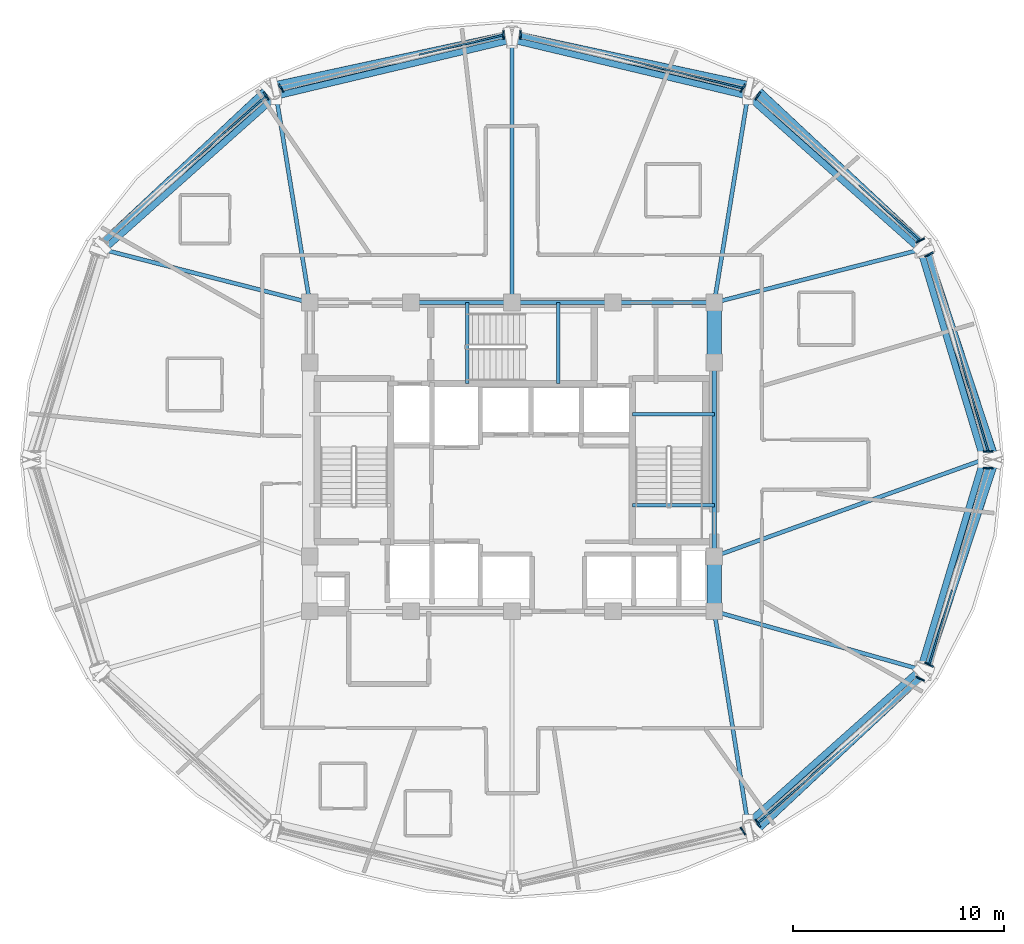
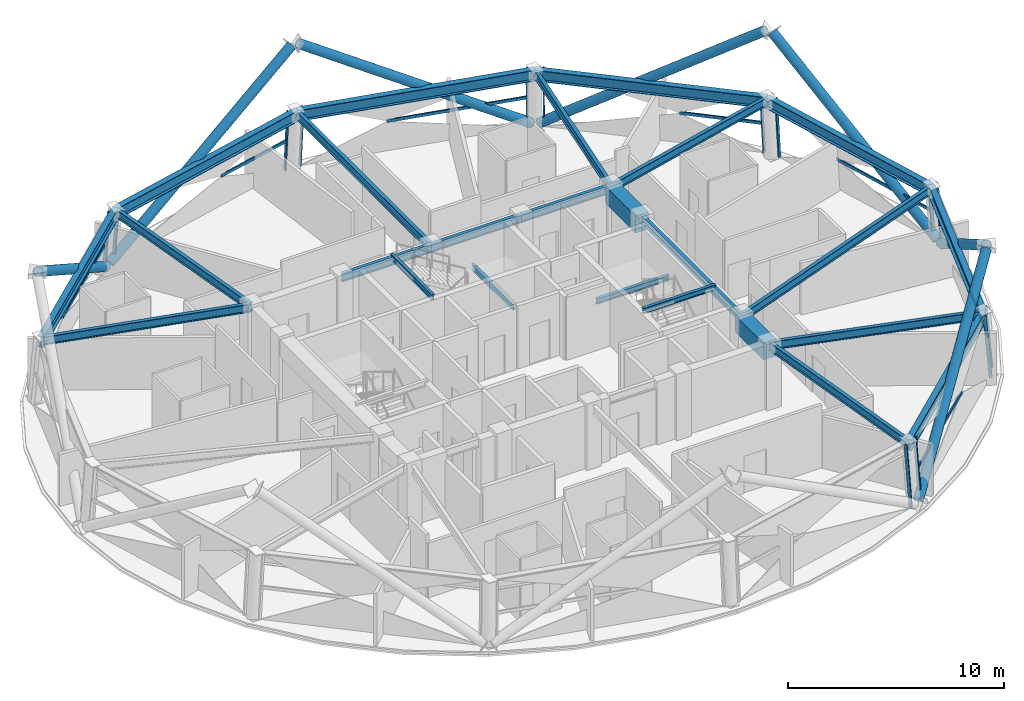
# One storey, part 2 of 12: 28 members, 25 beams, 8 elements without a shape of their own.
"""IFC4 building model written with IfcOpenShell, lengths in metres."""

from ifc_helpers import new_model, si_unit, direction, frame, origin, origin_2d, place, context, subcontext, project, spatial, rectangle, hollow_rectangle, hollow_circle, i_section, extrude, material, layer, layer_set, material_profile, profile_set, type_object, element, aggregate, save


model = new_model("IFC4")

# Units and contexts
model_context = context("Model", 3, precision=1e-05, world=origin(), true_north=direction((0.0, 1.0)))
body_context = subcontext(model_context, "Body", "Model", "MODEL_VIEW")
ifc_project = project(units=[si_unit("LENGTHUNIT", "METRE"), si_unit("AREAUNIT", "SQUARE_METRE"), si_unit("VOLUMEUNIT", "CUBIC_METRE"), si_unit("PLANEANGLEUNIT", "RADIAN"), si_unit("MASSUNIT", "GRAM", prefix="KILO")], contexts=[model_context])

# Site, building, storey
site_placement = place(None, origin())
site = spatial("IfcSite", under=ifc_project, at=site_placement, CompositionType="ELEMENT")
building_placement = place(site_placement, origin())
building = spatial("IfcBuilding", under=site, at=building_placement, Name="Vantalir Tower", CompositionType="ELEMENT")
storey_placement = place(building_placement, frame((0.0, 0.0, 197.39990234375)))
storey = spatial("IfcBuildingStorey", under=building, at=storey_placement, Name="L49", CompositionType="ELEMENT", Elevation=197.39990234375)

# Beams
ifc_material_1 = material(Name="Concrete C60/75", Category="concrete")
ifc_material_profile_1 = material_profile(ifc_material_1, rectangle(XDim=0.699951171875, YDim=0.949951171875, at=origin_2d()), Name="Concrete C60/75")
ifc_profile_set_1 = profile_set([ifc_material_profile_1], Name="Concrete C60/75")
beam_type_1 = type_object("IfcBeamType", Name="BM-CB-700x950", PredefinedType="USERDEFINED", material=ifc_profile_set_1)
beam_1_placement = place(storey_placement, frame((41.10009765625, 17.800048828125, 3.09521484375), z_axis=(0.0, 1.0, 0.0), x_axis=(-1.0, 0.0, 0.0)))
element("IfcBeam", 1, at=beam_1_placement, inside=storey, type_object=beam_type_1, Name="L49 Core Coupling Girder 05", ObjectType="GIRDER", PredefinedType="USERDEFINED", context=body_context, shape_type="SweptSolid", body=[
    extrude(rectangle(XDim=0.699951171875, YDim=0.949951171875, at=origin_2d()), origin(), (0.0, 0.0, 1.0), 2.599853515625),
])
beam_2_placement = place(storey_placement, frame((41.10009765625, 29.60009765625, 3.09521484375), z_axis=(0.0, 1.0, 0.0), x_axis=(-1.0, 0.0, 0.0)))
element("IfcBeam", 2, at=beam_2_placement, inside=storey, type_object=beam_type_1, Name="L49 Core Coupling Girder 07", ObjectType="GIRDER", PredefinedType="USERDEFINED", context=body_context, shape_type="SweptSolid", body=[
    extrude(rectangle(XDim=0.699951171875, YDim=0.949951171875, at=origin_2d()), origin(), (0.0, 0.0, 1.0), 2.849853515625),
])
ifc_material_2 = material(Name="Steel S355", Category="steel")
ifc_material_profile_2 = material_profile(ifc_material_2, i_section(OverallWidth=0.166015625, OverallDepth=0.306884765625, WebThickness=0.006591796875, FlangeThickness=0.01171875, at=origin_2d()), Name="Steel S355")
ifc_profile_set_2 = profile_set([ifc_material_profile_2], Name="Steel S355")
beam_type_2 = type_object("IfcBeamType", Name="BM-JS-305x165", PredefinedType="JOIST", material=ifc_profile_set_2)
for number, where, z_axis, x_axis, name in (
    (3, (37.2099609375, 22.8349609375, 3.59619140625), (1.0, 0.0, 0.0), (0.0, 1.0, 0.0), "L50 Stair ST2 Well Nosing Trimmer Beam"),
    (4, (37.2099609375, 27.14501953125, 1.52099609375), (1.0, 0.0, 0.0), (0.0, 1.0, 0.0), "L49 Stair ST2 Half-Landing Support Beam"),
):
    element("IfcBeam", number, at=place(storey_placement, frame(where, z_axis=z_axis, x_axis=x_axis)), inside=storey, type_object=beam_type_2, Name=name, PredefinedType="JOIST", context=body_context, shape_type="SweptSolid", body=[
        extrude(i_section(OverallWidth=0.166015625, OverallDepth=0.306884765625, WebThickness=0.006591796875, FlangeThickness=0.01171875, at=origin_2d()), origin(), (0.0, 0.0, 1.0), 3.89013671875),
    ])
for number, where, z_axis, x_axis, name in (
    (5, (29.385009765625, 28.60009765625, 3.59619140625), (0.0, 1.0, 0.0), (-1.0, 0.0, 0.0), "L50 Stair ST3 Well Nosing Trimmer Beam"),
    (6, (33.695068359375, 28.60009765625, 1.52099609375), (0.0, 1.0, 0.0), (-1.0, 0.0, 0.0), "L49 Stair ST3 Half-Landing Support Beam"),
):
    element("IfcBeam", number, at=place(storey_placement, frame(where, z_axis=z_axis, x_axis=x_axis)), inside=storey, type_object=beam_type_2, Name=name, PredefinedType="JOIST", context=body_context, shape_type="SweptSolid", body=[
        extrude(i_section(OverallWidth=0.166015625, OverallDepth=0.306884765625, WebThickness=0.006591796875, FlangeThickness=0.01171875, at=origin_2d()), origin(), (0.0, 0.0, 1.0), 3.849853515625),
    ])
ifc_material_profile_3 = material_profile(ifc_material_2, i_section(OverallWidth=0.19189453125, OverallDepth=0.462890625, WebThickness=0.010498046875, FlangeThickness=0.017578125, at=origin_2d()), Name="Steel S355")
ifc_profile_set_3 = profile_set([ifc_material_profile_3], Name="Steel S355")
beam_type_3 = type_object("IfcBeamType", Name="BM-RB-457x191", PredefinedType="BEAM", material=ifc_profile_set_3)
beam_3_placement = place(storey_placement, frame((41.10009765625, 20.39990234375, 3.338134765625), z_axis=(0.0, 1.0, 0.0), x_axis=(-1.0, 0.0, 0.0)))
element("IfcBeam", 7, at=beam_3_placement, inside=storey, type_object=beam_type_3, Name="L49 Core Coupling Girder 06", PredefinedType="BEAM", context=body_context, shape_type="SweptSolid", body=[
    extrude(i_section(OverallWidth=0.19189453125, OverallDepth=0.462890625, WebThickness=0.010498046875, FlangeThickness=0.017578125, at=origin_2d()), origin(), (0.0, 0.0, 1.0), 9.2001953125),
])
for number, where, z_axis, x_axis, name in (
    (8, (41.10009765625, 32.449951171875, 3.338134765625), (-1.0, 0.0, 0.0), (0.0, -1.0, 0.0), "L49 Core Coupling Girder 08"),
    (9, (36.300048828125, 32.449951171875, 3.338134765625), (-1.0, 0.0, 0.0), (0.0, -1.0, 0.0), "L49 Core Coupling Girder 09"),
    (10, (31.5, 32.449951171875, 3.338134765625), (-1.0, 0.0, 0.0), (0.0, -1.0, 0.0), "L49 Core Coupling Girder 10"),
):
    element("IfcBeam", number, at=place(storey_placement, frame(where, z_axis=z_axis, x_axis=x_axis)), inside=storey, type_object=beam_type_3, Name=name, PredefinedType="BEAM", context=body_context, shape_type="SweptSolid", body=[
        extrude(i_section(OverallWidth=0.19189453125, OverallDepth=0.462890625, WebThickness=0.010498046875, FlangeThickness=0.017578125, at=origin_2d()), origin(), (0.0, 0.0, 1.0), 4.800048828125),
    ])
beam_4_placement = place(storey_placement, frame((53.882080078125, 25.0, 3.338134765625), z_axis=(-0.940920627421, -0.338627188652, 0.0), x_axis=(0.338627188652, -0.940920627421, 0.0)))
element("IfcBeam", 11, at=beam_4_placement, inside=storey, type_object=beam_type_3, Name="L49 Radial Floor Beam 01", PredefinedType="BEAM", context=body_context, shape_type="SweptSolid", body=[
    extrude(i_section(OverallWidth=0.19189453125, OverallDepth=0.462890625, WebThickness=0.010498046875, FlangeThickness=0.017578125, at=origin_2d()), origin(), (0.0, 0.0, 1.0), 13.58447265625),
])
beam_5_placement = place(storey_placement, frame((50.883056640625, 34.9619140625, 3.338134765625), z_axis=(-0.968580157388, -0.24870158567, 0.0), x_axis=(0.24870158567, -0.968580157388, 0.0)))
element("IfcBeam", 12, at=beam_5_placement, inside=storey, type_object=beam_type_3, Name="L49 Radial Floor Beam 02", PredefinedType="BEAM", context=body_context, shape_type="SweptSolid", body=[
    extrude(i_section(OverallWidth=0.19189453125, OverallDepth=0.462890625, WebThickness=0.010498046875, FlangeThickness=0.017578125, at=origin_2d()), origin(), (0.0, 0.0, 1.0), 10.100341796875),
])
beam_6_placement = place(storey_placement, frame((42.69091796875, 42.256103515625, 3.338134765625), z_axis=(-0.160133287639, -0.987095400754, 0.0), x_axis=(0.987095400754, -0.160133287639, 0.0)))
element("IfcBeam", 13, at=beam_6_placement, inside=storey, type_object=beam_type_3, Name="L49 Radial Floor Beam 03", PredefinedType="BEAM", context=body_context, shape_type="SweptSolid", body=[
    extrude(i_section(OverallWidth=0.19189453125, OverallDepth=0.462890625, WebThickness=0.010498046875, FlangeThickness=0.017578125, at=origin_2d()), origin(), (0.0, 0.0, 1.0), 9.934326171875),
])
beam_7_placement = place(storey_placement, frame((31.5, 44.925048828125, 3.338134765625), z_axis=(0.0, -1.0, 0.0), x_axis=(1.0, 0.0, 0.0)))
element("IfcBeam", 14, at=beam_7_placement, inside=storey, type_object=beam_type_3, Name="L49 Radial Floor Beam 04", PredefinedType="BEAM", context=body_context, shape_type="SweptSolid", body=[
    extrude(i_section(OverallWidth=0.19189453125, OverallDepth=0.462890625, WebThickness=0.010498046875, FlangeThickness=0.017578125, at=origin_2d()), origin(), (0.0, 0.0, 1.0), 12.47509765625),
])
beam_8_placement = place(storey_placement, frame((20.30908203125, 42.256103515625, 3.338134765625), z_axis=(0.160133287639, -0.987095400754, 0.0), x_axis=(0.987095400754, 0.160133287639, 0.0)))
element("IfcBeam", 15, at=beam_8_placement, inside=storey, type_object=beam_type_3, Name="L49 Radial Floor Beam 05", PredefinedType="BEAM", context=body_context, shape_type="SweptSolid", body=[
    extrude(i_section(OverallWidth=0.19189453125, OverallDepth=0.462890625, WebThickness=0.010498046875, FlangeThickness=0.017578125, at=origin_2d()), origin(), (0.0, 0.0, 1.0), 9.934326171875),
])
beam_9_placement = place(storey_placement, frame((12.116943359375, 34.9619140625, 3.338134765625), z_axis=(0.968580157388, -0.24870158567, 0.0), x_axis=(0.24870158567, 0.968580157388, 0.0)))
element("IfcBeam", 16, at=beam_9_placement, inside=storey, type_object=beam_type_3, Name="L49 Radial Floor Beam 06", PredefinedType="BEAM", context=body_context, shape_type="SweptSolid", body=[
    extrude(i_section(OverallWidth=0.19189453125, OverallDepth=0.462890625, WebThickness=0.010498046875, FlangeThickness=0.017578125, at=origin_2d()), origin(), (0.0, 0.0, 1.0), 10.100341796875),
])
beam_10_placement = place(storey_placement, frame((42.69091796875, 7.743896484375, 3.338134765625), z_axis=(-0.156250710225, 0.987717426977, 0.0), x_axis=(-0.987717426977, -0.156250710225, 0.0)))
element("IfcBeam", 17, at=beam_10_placement, inside=storey, type_object=beam_type_3, Name="L49 Radial Floor Beam 11", PredefinedType="BEAM", context=body_context, shape_type="SweptSolid", body=[
    extrude(i_section(OverallWidth=0.19189453125, OverallDepth=0.462890625, WebThickness=0.010498046875, FlangeThickness=0.017578125, at=origin_2d()), origin(), (0.0, 0.0, 1.0), 10.18115234375),
])
beam_11_placement = place(storey_placement, frame((50.883056640625, 15.037109375, 3.338134765625), z_axis=(-0.962355981601, 0.271792135055, 0.0), x_axis=(-0.271792135055, -0.962355981601, 0.0)))
element("IfcBeam", 18, at=beam_11_placement, inside=storey, type_object=beam_type_3, Name="L49 Radial Floor Beam 12", PredefinedType="BEAM", context=body_context, shape_type="SweptSolid", body=[
    extrude(i_section(OverallWidth=0.19189453125, OverallDepth=0.462890625, WebThickness=0.010498046875, FlangeThickness=0.017578125, at=origin_2d()), origin(), (0.0, 0.0, 1.0), 10.16552734375),
])
ifc_material_3 = material(Name="Steel S460", Category="steel")
ifc_material_profile_4 = material_profile(ifc_material_3, i_section(OverallWidth=0.306884765625, OverallDepth=0.6201171875, WebThickness=0.01416015625, FlangeThickness=0.023681640625, at=origin_2d()), Name="Steel S460")
ifc_profile_set_4 = profile_set([ifc_material_profile_4], Name="Steel S460")
beam_type_4 = type_object("IfcBeamType", Name="BM-RG-610x305", PredefinedType="USERDEFINED", material=ifc_profile_set_4)
beam_12_placement = place(storey_placement, frame((53.882080078125, 25.0, 3.260009765625), z_axis=(-0.288269210973, 0.957549404472, 0.0), x_axis=(-0.957549404472, -0.288269210973, 0.0)))
element("IfcBeam", 19, at=beam_12_placement, inside=storey, type_object=beam_type_4, Name="L49 Circumferential Ring Girder 01", ObjectType="GIRDER", PredefinedType="USERDEFINED", context=body_context, shape_type="SweptSolid", body=[
    extrude(i_section(OverallWidth=0.306884765625, OverallDepth=0.6201171875, WebThickness=0.01416015625, FlangeThickness=0.023681640625, at=origin_2d()), origin(), (0.0, 0.0, 1.0), 10.403564453125),
])
beam_13_placement = place(storey_placement, frame((50.883056640625, 34.9619140625, 3.260009765625), z_axis=(-0.74685277092, 0.664989427411, 0.0), x_axis=(-0.664989427411, -0.74685277092, 0.0)))
element("IfcBeam", 20, at=beam_13_placement, inside=storey, type_object=beam_type_4, Name="L49 Circumferential Ring Girder 02", ObjectType="GIRDER", PredefinedType="USERDEFINED", context=body_context, shape_type="SweptSolid", body=[
    extrude(i_section(OverallWidth=0.306884765625, OverallDepth=0.6201171875, WebThickness=0.01416015625, FlangeThickness=0.023681640625, at=origin_2d()), origin(), (0.0, 0.0, 1.0), 10.968994140625),
])
for number, where, z_axis, x_axis, name in (
    (21, (42.69091796875, 42.256103515625, 3.260009765625), (-0.972719168126, 0.231985818447, 0.0), (-0.231985818447, -0.972719168126, 0.0), "L49 Circumferential Ring Girder 03"),
    (22, (31.5, 44.925048828125, 3.260009765625), (-0.972719168126, -0.231985818447, 0.0), (0.231985818447, -0.972719168126, 0.0), "L49 Circumferential Ring Girder 04"),
):
    element("IfcBeam", number, at=place(storey_placement, frame(where, z_axis=z_axis, x_axis=x_axis)), inside=storey, type_object=beam_type_4, Name=name, ObjectType="GIRDER", PredefinedType="USERDEFINED", context=body_context, shape_type="SweptSolid", body=[
        extrude(i_section(OverallWidth=0.306884765625, OverallDepth=0.6201171875, WebThickness=0.01416015625, FlangeThickness=0.023681640625, at=origin_2d()), origin(), (0.0, 0.0, 1.0), 11.5048828125),
    ])
beam_14_placement = place(storey_placement, frame((20.30908203125, 42.256103515625, 3.260009765625), z_axis=(-0.74685277092, -0.664989427411, 0.0), x_axis=(0.664989427411, -0.74685277092, 0.0)))
element("IfcBeam", 23, at=beam_14_placement, inside=storey, type_object=beam_type_4, Name="L49 Circumferential Ring Girder 05", ObjectType="GIRDER", PredefinedType="USERDEFINED", context=body_context, shape_type="SweptSolid", body=[
    extrude(i_section(OverallWidth=0.306884765625, OverallDepth=0.6201171875, WebThickness=0.01416015625, FlangeThickness=0.023681640625, at=origin_2d()), origin(), (0.0, 0.0, 1.0), 10.968994140625),
])
beam_15_placement = place(storey_placement, frame((42.69091796875, 7.743896484375, 3.260009765625), z_axis=(0.746896988705, 0.664939762884, 0.0), x_axis=(-0.664939762884, 0.746896988705, 0.0)))
element("IfcBeam", 24, at=beam_15_placement, inside=storey, type_object=beam_type_4, Name="L49 Circumferential Ring Girder 11", ObjectType="GIRDER", PredefinedType="USERDEFINED", context=body_context, shape_type="SweptSolid", body=[
    extrude(i_section(OverallWidth=0.306884765625, OverallDepth=0.6201171875, WebThickness=0.01416015625, FlangeThickness=0.023681640625, at=origin_2d()), origin(), (0.0, 0.0, 1.0), 10.96826171875),
])
beam_16_placement = place(storey_placement, frame((50.883056640625, 15.037109375, 3.260009765625), z_axis=(0.288243302571, 0.957557203786, 0.0), x_axis=(-0.957557203786, 0.288243302571, 0.0)))
element("IfcBeam", 25, at=beam_16_placement, inside=storey, type_object=beam_type_4, Name="L49 Circumferential Ring Girder 12", ObjectType="GIRDER", PredefinedType="USERDEFINED", context=body_context, shape_type="SweptSolid", body=[
    extrude(i_section(OverallWidth=0.306884765625, OverallDepth=0.6201171875, WebThickness=0.01416015625, FlangeThickness=0.023681640625, at=origin_2d()), origin(), (0.0, 0.0, 1.0), 10.404541015625),
])

# Curtain wall, members
ifc_material_4 = material(Name="Champagne-silver PVDF aluminium and double-silver Low-E glass", Category="aluminium")
ifc_layer = layer(ifc_material_4, 0.2099609375)
ifc_layer_set = layer_set([ifc_layer], Name="Champagne-silver PVDF aluminium and double-silver Low-E glass")
curtain_wall_type = type_object("IfcCurtainWallType", Name="CW-DIAMOND-Z3", PredefinedType="USERDEFINED", material=ifc_layer_set)
curtain_wall_1_placement = place(storey_placement, origin())
curtain_wall_1 = element("IfcCurtainWall", 26, at=curtain_wall_1_placement, inside=storey, type_object=curtain_wall_type, Name="L49 Quilted Pyramid-Diamond Curtain Wall S01", ObjectType="UNITISED CURTAIN WALL", PredefinedType="USERDEFINED")
ifc_material_5 = material(Name="Champagne-silver PVDF aluminium 6063-T6", Category="aluminium")
ifc_material_profile_5 = material_profile(ifc_material_5, hollow_rectangle(XDim=0.070068359375, YDim=0.1650390625, WallThickness=0.00390625, at=origin_2d()), Name="Champagne-silver PVDF aluminium 6063-T6")
ifc_profile_set_5 = profile_set([ifc_material_profile_5], Name="Champagne-silver PVDF aluminium 6063-T6")
member_type_1 = type_object("IfcMemberType", Name="CWM-165x70", PredefinedType="MULLION", material=ifc_profile_set_5)
member_1_placement = place(storey_placement, frame((54.248046875, 25.39306640625, 0.045166015625), z_axis=(-0.084167792988, 0.0, 0.996451595725), x_axis=(0.0, -1.0, 0.0)))
member_1 = element("IfcMember", 27, at=member_1_placement, type_object=member_type_1, Name="CW-L49-S01 Mullion 1", PredefinedType="MULLION", context=body_context, shape_type="SweptSolid", body=[
    extrude(hollow_rectangle(XDim=0.070068359375, YDim=0.1650390625, WallThickness=0.00390625, at=origin_2d()), origin(), (0.0, 0.0, 1.0), 3.492431640625),
])
member_2_placement = place(storey_placement, frame((51.4208984375, 34.7958984375, 0.045166015625), z_axis=(-0.072995616016, -0.037476676422, 0.9966278838), x_axis=(0.456731786055, -0.889604448958, 0.0)))
member_2 = element("IfcMember", 28, at=member_2_placement, type_object=member_type_1, Name="CW-L49-S01 Mullion 2", PredefinedType="MULLION", context=body_context, shape_type="SweptSolid", body=[
    extrude(hollow_rectangle(XDim=0.070068359375, YDim=0.1650390625, WallThickness=0.00390625, at=origin_2d()), origin(), (0.0, 0.0, 1.0), 3.49169921875),
])

curtain_wall_2_placement = place(storey_placement, origin())
curtain_wall_2 = element("IfcCurtainWall", 29, at=curtain_wall_2_placement, inside=storey, type_object=curtain_wall_type, Name="L49 Quilted Pyramid-Diamond Curtain Wall S02", ObjectType="UNITISED CURTAIN WALL", PredefinedType="USERDEFINED")
member_3_placement = place(storey_placement, frame((50.9970703125, 35.4619140625, 0.045166015625), z_axis=(-0.073065162101, -0.037476485058, 0.99662279482), x_axis=(0.45638579182, -0.889782000843, 0.0)))
member_3 = element("IfcMember", 30, at=member_3_placement, type_object=member_type_1, Name="CW-L49-S02 Mullion 1", PredefinedType="MULLION", context=body_context, shape_type="SweptSolid", body=[
    extrude(hollow_rectangle(XDim=0.070068359375, YDim=0.1650390625, WallThickness=0.00390625, at=origin_2d()), origin(), (0.0, 0.0, 1.0), 3.49169921875),
])
member_4_placement = place(storey_placement, frame((43.239013671875, 42.375, 0.045166015625), z_axis=(-0.042106007806, -0.06532726128, 0.996975141636), x_axis=(0.840534608951, -0.541757852879, 0.0)))
member_4 = element("IfcMember", 31, at=member_4_placement, type_object=member_type_1, Name="CW-L49-S02 Mullion 2", PredefinedType="MULLION", context=body_context, shape_type="SweptSolid", body=[
    extrude(hollow_rectangle(XDim=0.070068359375, YDim=0.1650390625, WallThickness=0.00390625, at=origin_2d()), origin(), (0.0, 0.0, 1.0), 3.490478515625),
])

curtain_wall_3_placement = place(storey_placement, origin())
curtain_wall_3 = element("IfcCurtainWall", 32, at=curtain_wall_3_placement, inside=storey, type_object=curtain_wall_type, Name="L49 Quilted Pyramid-Diamond Curtain Wall S03", ObjectType="UNITISED CURTAIN WALL", PredefinedType="USERDEFINED")
member_5_placement = place(storey_placement, frame((42.533935546875, 42.742919921875, 0.045166015625), z_axis=(-0.042106007806, -0.06532726128, 0.996975141636), x_axis=(0.840534608951, -0.541757852879, 0.0)))
member_5 = element("IfcMember", 33, at=member_5_placement, type_object=member_type_1, Name="CW-L49-S03 Mullion 1", PredefinedType="MULLION", context=body_context, shape_type="SweptSolid", body=[
    extrude(hollow_rectangle(XDim=0.070068359375, YDim=0.1650390625, WallThickness=0.00390625, at=origin_2d()), origin(), (0.0, 0.0, 1.0), 3.490478515625),
])
member_6_placement = place(storey_placement, frame((31.89892578125, 45.282958984375, 0.045166015625), z_axis=(0.0, -0.075342978786, 0.997157678378), x_axis=(1.0, 0.0, 0.0)))
member_6 = element("IfcMember", 34, at=member_6_placement, type_object=member_type_1, Name="CW-L49-S03 Mullion 2", PredefinedType="MULLION", context=body_context, shape_type="SweptSolid", body=[
    extrude(hollow_rectangle(XDim=0.070068359375, YDim=0.1650390625, WallThickness=0.00390625, at=origin_2d()), origin(), (0.0, 0.0, 1.0), 3.489990234375),
])

curtain_wall_4_placement = place(storey_placement, origin())
curtain_wall_4 = element("IfcCurtainWall", 35, at=curtain_wall_4_placement, inside=storey, type_object=curtain_wall_type, Name="L49 Quilted Pyramid-Diamond Curtain Wall S04", ObjectType="UNITISED CURTAIN WALL", PredefinedType="USERDEFINED")
member_7_placement = place(storey_placement, frame((31.10107421875, 45.282958984375, 0.045166015625), z_axis=(0.0, -0.075342978786, 0.997157678378), x_axis=(1.0, 0.0, 0.0)))
member_7 = element("IfcMember", 36, at=member_7_placement, type_object=member_type_1, Name="CW-L49-S04 Mullion 1", PredefinedType="MULLION", context=body_context, shape_type="SweptSolid", body=[
    extrude(hollow_rectangle(XDim=0.070068359375, YDim=0.1650390625, WallThickness=0.00390625, at=origin_2d()), origin(), (0.0, 0.0, 1.0), 3.489990234375),
])
member_8_placement = place(storey_placement, frame((20.466064453125, 42.742919921875, 0.045166015625), z_axis=(0.042106007806, -0.06532726128, 0.996975141636), x_axis=(0.840534608951, 0.541757852879, 0.0)))
member_8 = element("IfcMember", 37, at=member_8_placement, type_object=member_type_1, Name="CW-L49-S04 Mullion 2", PredefinedType="MULLION", context=body_context, shape_type="SweptSolid", body=[
    extrude(hollow_rectangle(XDim=0.070068359375, YDim=0.1650390625, WallThickness=0.00390625, at=origin_2d()), origin(), (0.0, 0.0, 1.0), 3.490478515625),
])

# Curtain wall, member
curtain_wall_5_placement = place(storey_placement, origin())
curtain_wall_5 = element("IfcCurtainWall", 38, at=curtain_wall_5_placement, inside=storey, type_object=curtain_wall_type, Name="L49 Quilted Pyramid-Diamond Curtain Wall S05", ObjectType="UNITISED CURTAIN WALL", PredefinedType="USERDEFINED")
member_9_placement = place(storey_placement, frame((19.760986328125, 42.375, 0.045166015625), z_axis=(0.042106007806, -0.06532726128, 0.996975141636), x_axis=(0.840534608951, 0.541757852879, 0.0)))
member_9 = element("IfcMember", 39, at=member_9_placement, type_object=member_type_1, Name="CW-L49-S05 Mullion 1", PredefinedType="MULLION", context=body_context, shape_type="SweptSolid", body=[
    extrude(hollow_rectangle(XDim=0.070068359375, YDim=0.1650390625, WallThickness=0.00390625, at=origin_2d()), origin(), (0.0, 0.0, 1.0), 3.490478515625),
])

curtain_wall_6_placement = place(storey_placement, origin())
curtain_wall_6 = element("IfcCurtainWall", 40, at=curtain_wall_6_placement, inside=storey, type_object=curtain_wall_type, Name="L49 Quilted Pyramid-Diamond Curtain Wall S10", ObjectType="UNITISED CURTAIN WALL", PredefinedType="USERDEFINED")
member_10_placement = place(storey_placement, frame((42.533935546875, 7.257080078125, 0.045166015625), z_axis=(-0.042106007806, 0.06532726128, 0.996975141636), x_axis=(-0.840534608951, -0.541757852879, 0.0)))
member_10 = element("IfcMember", 41, at=member_10_placement, type_object=member_type_1, Name="CW-L49-S10 Mullion 2", PredefinedType="MULLION", context=body_context, shape_type="SweptSolid", body=[
    extrude(hollow_rectangle(XDim=0.070068359375, YDim=0.1650390625, WallThickness=0.00390625, at=origin_2d()), origin(), (0.0, 0.0, 1.0), 3.490478515625),
])
aggregate(curtain_wall_6, [member_10])

# Curtain wall, members
curtain_wall_7_placement = place(storey_placement, origin())
curtain_wall_7 = element("IfcCurtainWall", 42, at=curtain_wall_7_placement, inside=storey, type_object=curtain_wall_type, Name="L49 Quilted Pyramid-Diamond Curtain Wall S11", ObjectType="UNITISED CURTAIN WALL", PredefinedType="USERDEFINED")
member_11_placement = place(storey_placement, frame((43.239013671875, 7.625, 0.045166015625), z_axis=(-0.042106007806, 0.06532726128, 0.996975141636), x_axis=(-0.840534608951, -0.541757852879, 0.0)))
member_11 = element("IfcMember", 43, at=member_11_placement, type_object=member_type_1, Name="CW-L49-S11 Mullion 1", PredefinedType="MULLION", context=body_context, shape_type="SweptSolid", body=[
    extrude(hollow_rectangle(XDim=0.070068359375, YDim=0.1650390625, WallThickness=0.00390625, at=origin_2d()), origin(), (0.0, 0.0, 1.0), 3.490478515625),
])
member_12_placement = place(storey_placement, frame((50.9970703125, 14.5380859375, 0.045166015625), z_axis=(-0.073065162101, 0.037476485058, 0.99662279482), x_axis=(-0.45638579182, -0.889782000843, 0.0)))
member_12 = element("IfcMember", 44, at=member_12_placement, type_object=member_type_1, Name="CW-L49-S11 Mullion 2", PredefinedType="MULLION", context=body_context, shape_type="SweptSolid", body=[
    extrude(hollow_rectangle(XDim=0.070068359375, YDim=0.1650390625, WallThickness=0.00390625, at=origin_2d()), origin(), (0.0, 0.0, 1.0), 3.49169921875),
])

curtain_wall_8_placement = place(storey_placement, origin())
curtain_wall_8 = element("IfcCurtainWall", 45, at=curtain_wall_8_placement, inside=storey, type_object=curtain_wall_type, Name="L49 Quilted Pyramid-Diamond Curtain Wall S12", ObjectType="UNITISED CURTAIN WALL", PredefinedType="USERDEFINED")
member_13_placement = place(storey_placement, frame((51.4208984375, 15.2041015625, 0.045166015625), z_axis=(-0.072995616016, 0.037476676422, 0.9966278838), x_axis=(-0.456731786055, -0.889604448958, 0.0)))
member_13 = element("IfcMember", 46, at=member_13_placement, type_object=member_type_1, Name="CW-L49-S12 Mullion 1", PredefinedType="MULLION", context=body_context, shape_type="SweptSolid", body=[
    extrude(hollow_rectangle(XDim=0.070068359375, YDim=0.1650390625, WallThickness=0.00390625, at=origin_2d()), origin(), (0.0, 0.0, 1.0), 3.49169921875),
])
member_14_placement = place(storey_placement, frame((54.248046875, 24.60693359375, 0.045166015625), z_axis=(-0.084167792988, 0.0, 0.996451595725), x_axis=(0.0, -1.0, 0.0)))
member_14 = element("IfcMember", 47, at=member_14_placement, type_object=member_type_1, Name="CW-L49-S12 Mullion 2", PredefinedType="MULLION", context=body_context, shape_type="SweptSolid", body=[
    extrude(hollow_rectangle(XDim=0.070068359375, YDim=0.1650390625, WallThickness=0.00390625, at=origin_2d()), origin(), (0.0, 0.0, 1.0), 3.492431640625),
])

# Member
ifc_material_profile_6 = material_profile(ifc_material_5, hollow_rectangle(XDim=0.074951171875, YDim=0.159912109375, WallThickness=0.00390625, at=origin_2d()), Name="Champagne-silver PVDF aluminium 6063-T6")
ifc_profile_set_6 = profile_set([ifc_material_profile_6], Name="Champagne-silver PVDF aluminium 6063-T6")
member_type_2 = type_object("IfcMemberType", Name="CWT-160x75", PredefinedType="USERDEFINED", material=ifc_profile_set_6)
member_15_placement = place(storey_placement, frame((54.10107421875, 25.39306640625, 1.78515625), z_axis=(-0.284196957809, 0.958765919906, 0.0), x_axis=(-0.958765919906, -0.284196957809, 0.0)))
member_15 = element("IfcMember", 48, at=member_15_placement, type_object=member_type_2, Name="CW-L49-S01 Pyramid Fold Ridge Transom", ObjectType="TRANSOM", PredefinedType="USERDEFINED", context=body_context, shape_type="SweptSolid", body=[
    extrude(hollow_rectangle(XDim=0.074951171875, YDim=0.159912109375, WallThickness=0.00390625, at=origin_2d()), origin(), (0.0, 0.0, 1.0), 6.045166015625),
])

aggregate(curtain_wall_1, [member_1, member_2, member_15])

member_16_placement = place(storey_placement, frame((50.868896484375, 35.39599609375, 1.78515625), z_axis=(-0.742422606468, 0.669931842358, 0.0), x_axis=(-0.669931842358, -0.742422606468, 0.0)))
member_16 = element("IfcMember", 49, at=member_16_placement, type_object=member_type_2, Name="CW-L49-S02 Pyramid Fold Ridge Transom", ObjectType="TRANSOM", PredefinedType="USERDEFINED", context=body_context, shape_type="SweptSolid", body=[
    extrude(hollow_rectangle(XDim=0.074951171875, YDim=0.159912109375, WallThickness=0.00390625, at=origin_2d()), origin(), (0.0, 0.0, 1.0), 3.916748046875),
])

aggregate(curtain_wall_2, [member_3, member_4, member_16])

member_17_placement = place(storey_placement, frame((42.4609375, 42.62890625, 1.78515625), z_axis=(-0.971816633119, 0.235738057161, 0.0), x_axis=(-0.235738057161, -0.971816633119, 0.0)))
member_17 = element("IfcMember", 50, at=member_17_placement, type_object=member_type_2, Name="CW-L49-S03 Pyramid Fold Ridge Transom", ObjectType="TRANSOM", PredefinedType="USERDEFINED", context=body_context, shape_type="SweptSolid", body=[
    extrude(hollow_rectangle(XDim=0.074951171875, YDim=0.159912109375, WallThickness=0.00390625, at=origin_2d()), origin(), (0.0, 0.0, 1.0), 6.732666015625),
])

aggregate(curtain_wall_3, [member_5, member_6, member_17])

member_18_placement = place(storey_placement, frame((31.10107421875, 45.15087890625, 1.78515625), z_axis=(-0.973999829906, -0.226548739443, 0.0), x_axis=(0.226548739443, -0.973999829906, 0.0)))
member_18 = element("IfcMember", 51, at=member_18_placement, type_object=member_type_2, Name="CW-L49-S04 Pyramid Fold Ridge Transom", ObjectType="TRANSOM", PredefinedType="USERDEFINED", context=body_context, shape_type="SweptSolid", body=[
    extrude(hollow_rectangle(XDim=0.074951171875, YDim=0.159912109375, WallThickness=0.00390625, at=origin_2d()), origin(), (0.0, 0.0, 1.0), 4.126220703125),
])

aggregate(curtain_wall_4, [member_7, member_8, member_18])

member_19_placement = place(storey_placement, frame((19.833984375, 42.260986328125, 1.78515625), z_axis=(-0.749050429408, -0.662512984177, 0.0), x_axis=(0.662512984177, -0.749050429408, 0.0)))
member_19 = element("IfcMember", 52, at=member_19_placement, type_object=member_type_2, Name="CW-L49-S05 Pyramid Fold Ridge Transom", ObjectType="TRANSOM", PredefinedType="USERDEFINED", context=body_context, shape_type="SweptSolid", body=[
    extrude(hollow_rectangle(XDim=0.074951171875, YDim=0.159912109375, WallThickness=0.00390625, at=origin_2d()), origin(), (0.0, 0.0, 1.0), 6.4013671875),
])

aggregate(curtain_wall_5, [member_9, member_19])

member_20_placement = place(storey_placement, frame((43.166015625, 7.739013671875, 1.78515625), z_axis=(0.749050429408, 0.662512984177, 0.0), x_axis=(-0.662512984177, 0.749050429408, 0.0)))
member_20 = element("IfcMember", 53, at=member_20_placement, type_object=member_type_2, Name="CW-L49-S11 Pyramid Fold Ridge Transom", ObjectType="TRANSOM", PredefinedType="USERDEFINED", context=body_context, shape_type="SweptSolid", body=[
    extrude(hollow_rectangle(XDim=0.074951171875, YDim=0.159912109375, WallThickness=0.00390625, at=origin_2d()), origin(), (0.0, 0.0, 1.0), 6.4013671875),
])

aggregate(curtain_wall_7, [member_11, member_12, member_20])

member_21_placement = place(storey_placement, frame((51.2939453125, 15.26904296875, 1.78515625), z_axis=(0.293905287805, 0.955834547294, 0.0), x_axis=(-0.955834547294, 0.293905287805, 0.0)))
member_21 = element("IfcMember", 54, at=member_21_placement, type_object=member_type_2, Name="CW-L49-S12 Pyramid Fold Ridge Transom", ObjectType="TRANSOM", PredefinedType="USERDEFINED", context=body_context, shape_type="SweptSolid", body=[
    extrude(hollow_rectangle(XDim=0.074951171875, YDim=0.159912109375, WallThickness=0.00390625, at=origin_2d()), origin(), (0.0, 0.0, 1.0), 3.70556640625),
])

aggregate(curtain_wall_8, [member_13, member_14, member_21])

# Members
ifc_material_profile_7 = material_profile(ifc_material_3, hollow_circle(Radius=0.25, WallThickness=0.031982421875, at=origin_2d()), Name="Steel S460")
ifc_profile_set_7 = profile_set([ifc_material_profile_7], Name="Steel S460")
member_type_3 = type_object("IfcMemberType", Name="MEM-DB-500x32", PredefinedType="BRACE", material=ifc_profile_set_7)
for number, where, z_axis, x_axis, name in (
    (55, (54.30908203125, 25.173095703125, 0.203125), (-0.259552652624, 0.786726952255, 0.560083139464), (-0.949652800921, -0.313304257398, 0.0), "L49 Perimeter S460 Diagrid Brace R01L"),
    (56, (54.30908203125, 24.826904296875, 0.203125), (-0.259552652624, -0.786726952255, 0.560083139464), (0.949652800921, -0.313304257398, 0.0), "L49 Perimeter S460 Diagrid Brace R01R"),
):
    element("IfcMember", number, at=place(storey_placement, frame(where, z_axis=z_axis, x_axis=x_axis)), inside=storey, type_object=member_type_3, Name=name, PredefinedType="BRACE", context=body_context, shape_type="SweptSolid", body=[
        extrude(hollow_circle(Radius=0.25, WallThickness=0.031982421875, at=origin_2d()), origin(), (0.0, 0.0, 1.0), 12.3447265625),
    ])
member_22_placement = place(storey_placement, frame((42.75, 42.68798828125, 0.195068359375), z_axis=(-0.83373043371, 0.179823129283, 0.522070116057), x_axis=(-0.210836660138, -0.977521305518, 0.0)))
element("IfcMember", 57, at=member_22_placement, inside=storey, type_object=member_type_3, Name="L49 Perimeter S460 Diagrid Brace R07L", PredefinedType="BRACE", context=body_context, shape_type="SweptSolid", body=[
    extrude(hollow_circle(Radius=0.25, WallThickness=0.031982421875, at=origin_2d()), origin(), (0.0, 0.0, 1.0), 13.27392578125),
])
for number, where, z_axis, x_axis, name in (
    (58, (43.068115234375, 42.52197265625, 0.19921875), (0.613899800339, -0.57421879062, 0.541663932381), (0.683109817487, 0.730315669593, 0.0), "L49 Perimeter S460 Diagrid Brace R07R"),
    (59, (19.931884765625, 42.52197265625, 0.19921875), (-0.613899800339, -0.57421879062, 0.541663932381), (0.683109817487, -0.730315669593, 0.0), "L49 Perimeter S460 Diagrid Brace R13L"),
):
    element("IfcMember", number, at=place(storey_placement, frame(where, z_axis=z_axis, x_axis=x_axis)), inside=storey, type_object=member_type_3, Name=name, PredefinedType="BRACE", context=body_context, shape_type="SweptSolid", body=[
        extrude(hollow_circle(Radius=0.25, WallThickness=0.031982421875, at=origin_2d()), origin(), (0.0, 0.0, 1.0), 12.77880859375),
    ])
member_23_placement = place(storey_placement, frame((20.25, 42.68798828125, 0.195068359375), z_axis=(0.83373043371, 0.179823129283, 0.522070116057), x_axis=(-0.210836660138, 0.977521305518, 0.0)))
element("IfcMember", 60, at=member_23_placement, inside=storey, type_object=member_type_3, Name="L49 Perimeter S460 Diagrid Brace R13R", PredefinedType="BRACE", context=body_context, shape_type="SweptSolid", body=[
    extrude(hollow_circle(Radius=0.25, WallThickness=0.031982421875, at=origin_2d()), origin(), (0.0, 0.0, 1.0), 13.27392578125),
])
member_24_placement = place(storey_placement, frame((43.068115234375, 7.47802734375, 0.19921875), z_axis=(0.613899800339, 0.57421879062, 0.541663932381), x_axis=(-0.683109817487, 0.730315669593, 0.0)))
element("IfcMember", 61, at=member_24_placement, inside=storey, type_object=member_type_3, Name="L49 Perimeter S460 Diagrid Brace R31L", PredefinedType="BRACE", context=body_context, shape_type="SweptSolid", body=[
    extrude(hollow_circle(Radius=0.25, WallThickness=0.031982421875, at=origin_2d()), origin(), (0.0, 0.0, 1.0), 12.77880859375),
])

save(model, "model.ifc")
